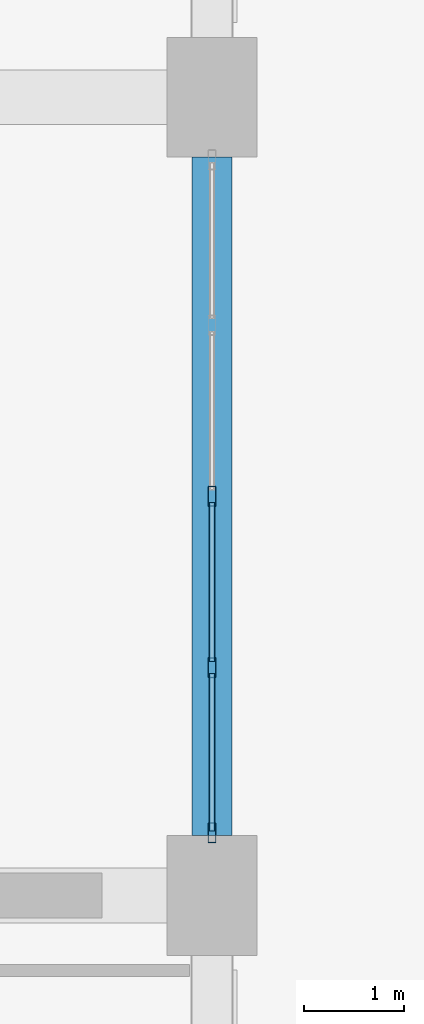
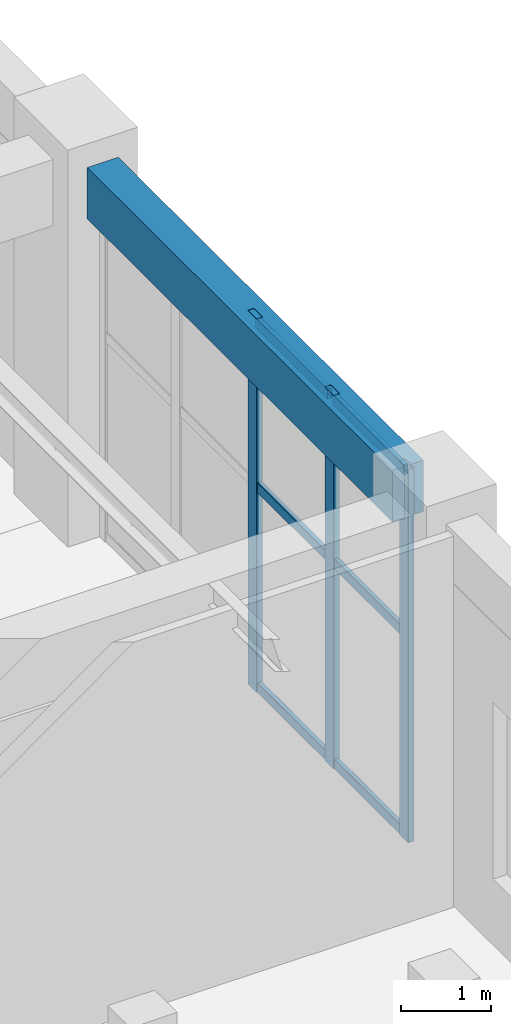
# One storey, part 74 of 121: 9 members, 1 beam, 1 element without a shape of its own.
"""IFC4 building model written with IfcOpenShell, lengths in metres."""

from ifc_helpers import new_model, si_unit, derived_unit, direction, frame, origin, origin_2d, place, context, subcontext, project, spatial, rectangle, hollow_rectangle, extrude, material, material_profile, profile_set, type_object, element, aggregate, save


model = new_model("IFC4")

# Units and contexts
model_context = context("Model", 3, precision=1e-05, world=origin(), true_north=direction((0.0, 1.0)))
body_context = subcontext(model_context, "Body", "Model", "MODEL_VIEW")
ifc_project = project(units=[si_unit("LENGTHUNIT", "METRE"), si_unit("AREAUNIT", "SQUARE_METRE"), si_unit("VOLUMEUNIT", "CUBIC_METRE"), si_unit("PLANEANGLEUNIT", "RADIAN"), si_unit("MASSUNIT", "GRAM", prefix="KILO"), derived_unit("THERMALTRANSMITTANCEUNIT", [(si_unit("MASSUNIT", "GRAM", prefix="KILO"), 1), (si_unit("TIMEUNIT", "SECOND"), -3), (si_unit("THERMODYNAMICTEMPERATUREUNIT", "KELVIN"), -1)])], contexts=[model_context])

# Site, building, storey
site_placement = place(None, origin())
site = spatial("IfcSite", under=ifc_project, at=site_placement, CompositionType="ELEMENT")
building_placement = place(site_placement, origin())
building = spatial("IfcBuilding", under=site, at=building_placement, Name="Zhenchuan Archway Interchange", CompositionType="ELEMENT")
storey_placement = place(building_placement, origin())
storey = spatial("IfcBuildingStorey", under=building, at=storey_placement, Name="L00", CompositionType="ELEMENT", Elevation=0.0)

# Curtain wall, members
ifc_material_1 = material(Name="Anodised Aluminium", Category="aluminium")
curtain_wall_type = type_object("IfcCurtainWallType", Name="CW_UNIT_3", PredefinedType="NOTDEFINED", material=ifc_material_1)
curtain_wall_placement = place(storey_placement, origin())
curtain_wall = element("IfcCurtainWall", 1, at=curtain_wall_placement, inside=storey, type_object=curtain_wall_type, Name="Unitised curtain wall CW:L00:014", PredefinedType="NOTDEFINED")
ifc_material_profile_1 = material_profile(ifc_material_1, hollow_rectangle(XDim=0.080078125, YDim=0.199951171875, WallThickness=0.00439453125, InnerFilletRadius=0.00439453125, OuterFilletRadius=0.009033203125, at=origin_2d()), Name="ALU 200x80x4.5")
ifc_profile_set_1 = profile_set([ifc_material_profile_1], Name="Anodised Aluminium")
member_type_1 = type_object("IfcMemberType", Name="CW_MUL_200", PredefinedType="MULLION", material=ifc_profile_set_1)
member_1_placement = place(storey_placement, frame((171.0, 68.0, 0.0), z_axis=(0.0, 0.0, 1.0), x_axis=(1.0, 0.0, 0.0)))
member_1 = element("IfcMember", 2, at=member_1_placement, type_object=member_type_1, Name="CW:L00:014 mullion 2", PredefinedType="MULLION", context=body_context, shape_type="SweptSolid", body=[
    extrude(hollow_rectangle(XDim=0.080078125, YDim=0.199951171875, WallThickness=0.00439453125, InnerFilletRadius=0.00439453125, OuterFilletRadius=0.009033203125, at=origin_2d()), origin(), (0.0, 0.0, 1.0), 5.080078125),
])
member_2_placement = place(storey_placement, frame((171.0, 66.283935546875, 0.0), z_axis=(0.0, 0.0, 1.0), x_axis=(1.0, 0.0, 0.0)))
member_2 = element("IfcMember", 3, at=member_2_placement, type_object=member_type_1, Name="CW:L00:014 mullion 3", PredefinedType="MULLION", context=body_context, shape_type="SweptSolid", body=[
    extrude(hollow_rectangle(XDim=0.080078125, YDim=0.199951171875, WallThickness=0.00439453125, InnerFilletRadius=0.00439453125, OuterFilletRadius=0.009033203125, at=origin_2d()), origin(), (0.0, 0.0, 1.0), 5.080078125),
])
member_3_placement = place(storey_placement, frame((171.0, 64.6279296875, 0.0), z_axis=(0.0, 0.0, 1.0), x_axis=(1.0, 0.0, 0.0)))
member_3 = element("IfcMember", 4, at=member_3_placement, type_object=member_type_1, Name="CW:L00:014 mullion 4", PredefinedType="MULLION", context=body_context, shape_type="SweptSolid", body=[
    extrude(hollow_rectangle(XDim=0.080078125, YDim=0.199951171875, WallThickness=0.00439453125, InnerFilletRadius=0.00439453125, OuterFilletRadius=0.009033203125, at=origin_2d()), origin(), (0.0, 0.0, 1.0), 5.080078125),
])
ifc_material_profile_2 = material_profile(ifc_material_1, hollow_rectangle(XDim=0.06005859375, YDim=0.139892578125, WallThickness=0.00341796875, InnerFilletRadius=0.00341796875, OuterFilletRadius=0.007080078125, at=origin_2d()), Name="ALU 140x60x3.5")
ifc_profile_set_2 = profile_set([ifc_material_profile_2], Name="Anodised Aluminium")
member_type_2 = type_object("IfcMemberType", Name="CW_TRN_140", PredefinedType="USERDEFINED", material=ifc_profile_set_2)
member_4_placement = place(storey_placement, frame((171.0, 67.93994140625, 0.06005859375), z_axis=(0.0, -1.0, 0.0), x_axis=(1.0, 0.0, 0.0)))
member_4 = element("IfcMember", 5, at=member_4_placement, type_object=member_type_2, Name="CW:L00:014 transom 2-1", ObjectType="TRANSOM", PredefinedType="USERDEFINED", context=body_context, shape_type="SweptSolid", body=[
    extrude(hollow_rectangle(XDim=0.06005859375, YDim=0.139892578125, WallThickness=0.00341796875, InnerFilletRadius=0.00341796875, OuterFilletRadius=0.007080078125, at=origin_2d()), origin(), (0.0, 0.0, 1.0), 1.595947265625),
])
member_5_placement = place(storey_placement, frame((171.0, 67.93994140625, 2.782958984375), z_axis=(0.0, -1.0, 0.0), x_axis=(1.0, 0.0, 0.0)))
member_5 = element("IfcMember", 6, at=member_5_placement, type_object=member_type_2, Name="CW:L00:014 transom 2-2", ObjectType="TRANSOM", PredefinedType="USERDEFINED", context=body_context, shape_type="SweptSolid", body=[
    extrude(hollow_rectangle(XDim=0.06005859375, YDim=0.139892578125, WallThickness=0.00341796875, InnerFilletRadius=0.00341796875, OuterFilletRadius=0.007080078125, at=origin_2d()), origin(), (0.0, 0.0, 1.0), 1.595947265625),
])
member_6_placement = place(storey_placement, frame((171.0, 67.93994140625, 5.0), z_axis=(0.0, -1.0, 0.0), x_axis=(1.0, 0.0, 0.0)))
member_6 = element("IfcMember", 7, at=member_6_placement, type_object=member_type_2, Name="CW:L00:014 transom 2-3", ObjectType="TRANSOM", PredefinedType="USERDEFINED", context=body_context, shape_type="SweptSolid", body=[
    extrude(hollow_rectangle(XDim=0.06005859375, YDim=0.139892578125, WallThickness=0.00341796875, InnerFilletRadius=0.00341796875, OuterFilletRadius=0.007080078125, at=origin_2d()), origin(), (0.0, 0.0, 1.0), 1.595947265625),
])
member_7_placement = place(storey_placement, frame((171.0, 66.22412109375, 0.06005859375), z_axis=(0.0, -1.0, 0.0), x_axis=(1.0, 0.0, 0.0)))
member_7 = element("IfcMember", 8, at=member_7_placement, type_object=member_type_2, Name="CW:L00:014 transom 3-1", ObjectType="TRANSOM", PredefinedType="USERDEFINED", context=body_context, shape_type="SweptSolid", body=[
    extrude(hollow_rectangle(XDim=0.06005859375, YDim=0.139892578125, WallThickness=0.00341796875, InnerFilletRadius=0.00341796875, OuterFilletRadius=0.007080078125, at=origin_2d()), origin(), (0.0, 0.0, 1.0), 1.576171875),
])
member_8_placement = place(storey_placement, frame((171.0, 66.22412109375, 2.782958984375), z_axis=(0.0, -1.0, 0.0), x_axis=(1.0, 0.0, 0.0)))
member_8 = element("IfcMember", 9, at=member_8_placement, type_object=member_type_2, Name="CW:L00:014 transom 3-2", ObjectType="TRANSOM", PredefinedType="USERDEFINED", context=body_context, shape_type="SweptSolid", body=[
    extrude(hollow_rectangle(XDim=0.06005859375, YDim=0.139892578125, WallThickness=0.00341796875, InnerFilletRadius=0.00341796875, OuterFilletRadius=0.007080078125, at=origin_2d()), origin(), (0.0, 0.0, 1.0), 1.576171875),
])
member_9_placement = place(storey_placement, frame((171.0, 66.22412109375, 5.0), z_axis=(0.0, -1.0, 0.0), x_axis=(1.0, 0.0, 0.0)))
member_9 = element("IfcMember", 10, at=member_9_placement, type_object=member_type_2, Name="CW:L00:014 transom 3-3", ObjectType="TRANSOM", PredefinedType="USERDEFINED", context=body_context, shape_type="SweptSolid", body=[
    extrude(hollow_rectangle(XDim=0.06005859375, YDim=0.139892578125, WallThickness=0.00341796875, InnerFilletRadius=0.00341796875, OuterFilletRadius=0.007080078125, at=origin_2d()), origin(), (0.0, 0.0, 1.0), 1.576171875),
])
aggregate(curtain_wall, [member_1, member_2, member_3, member_4, member_5, member_6, member_7, member_8, member_9])

# Beam
ifc_material_2 = material(Name="Concrete C40", Category="concrete")
ifc_material_profile_3 = material_profile(ifc_material_2, rectangle(XDim=0.39990234375, YDim=0.699951171875, at=origin_2d()), Name="RC 400x700")
ifc_profile_set_3 = profile_set([ifc_material_profile_3], Name="Concrete C40")
beam_type = type_object("IfcBeamType", Name="SP_RC_400x700", PredefinedType="SPANDREL", material=ifc_profile_set_3)
beam_placement = place(storey_placement, frame((171.0, 64.60009765625, 4.72998046875), z_axis=(0.0, 1.0, 0.0), x_axis=(-1.0, 0.0, 0.0)))
element("IfcBeam", 11, at=beam_placement, inside=storey, type_object=beam_type, Name="Beam 20:J-K (L00)", PredefinedType="SPANDREL", context=body_context, shape_type="SweptSolid", body=[
    extrude(rectangle(XDim=0.39990234375, YDim=0.699951171875, at=origin_2d()), origin(), (0.0, 0.0, 1.0), 6.7998046875),
])

save(model, "model.ifc")
